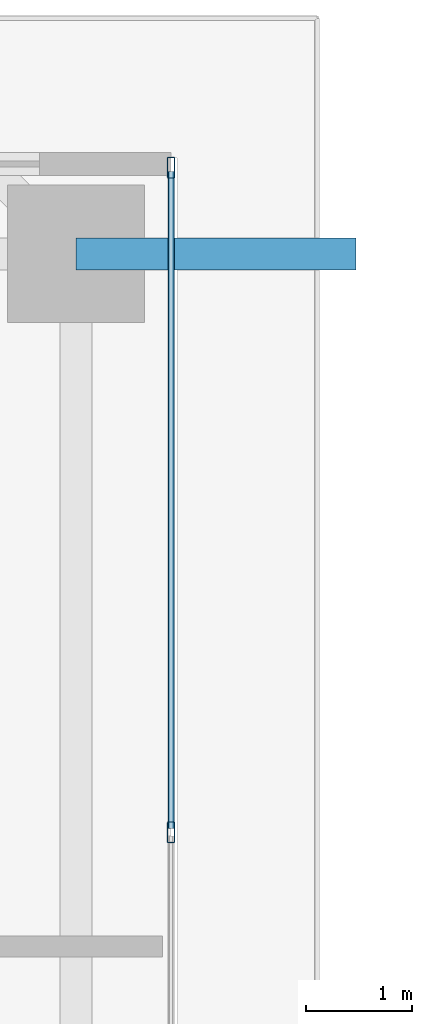
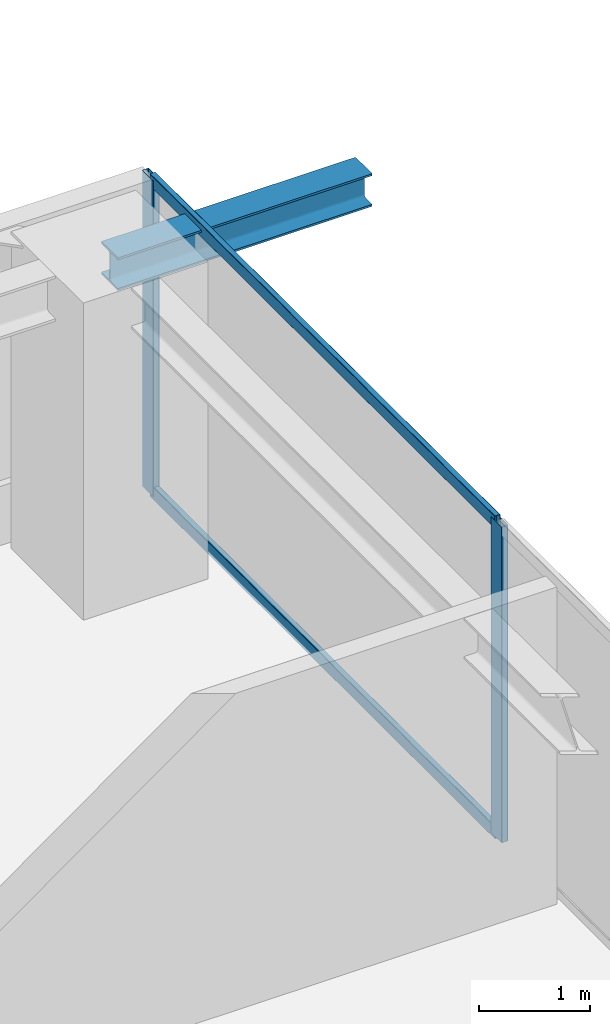
# One storey, part 20 of 35: 4 members, 1 beam, 1 element without a shape of its own.
"""IFC4 building model written with IfcOpenShell, lengths in metres."""

from ifc_helpers import new_model, si_unit, direction, frame, origin, origin_2d, place, context, subcontext, project, spatial, hollow_rectangle, i_section, extrude, source, transform, mapped, material, layer, layer_set, material_profile, profile_set, type_object, element, aggregate, save


model = new_model("IFC4")

# Units and contexts
model_context = context("Model", 3, precision=1e-05, world=origin(), true_north=direction((0.0, 1.0)))
body_context = subcontext(model_context, "Body", "Model", "MODEL_VIEW")
ifc_project = project(units=[si_unit("LENGTHUNIT", "METRE"), si_unit("AREAUNIT", "SQUARE_METRE"), si_unit("VOLUMEUNIT", "CUBIC_METRE"), si_unit("PLANEANGLEUNIT", "RADIAN"), si_unit("MASSUNIT", "GRAM", prefix="KILO")], contexts=[model_context])

# Site, building, storey
site_placement = place(None, origin())
site = spatial("IfcSite", under=ifc_project, at=site_placement, CompositionType="ELEMENT")
building_placement = place(site_placement, origin())
building = spatial("IfcBuilding", under=site, at=building_placement, Name="Serunith Strait Residences", CompositionType="ELEMENT")
storey_placement = place(building_placement, frame((0.0, 0.0, 157.64990234375)))
storey = spatial("IfcBuildingStorey", under=building, at=storey_placement, Name="L39", CompositionType="ELEMENT", Elevation=157.64990234375)

# Beam
ifc_material_1 = material(Name="Steel S355J2", Category="steel")
ifc_material_profile_1 = material_profile(ifc_material_1, i_section(OverallWidth=0.300048828125, OverallDepth=0.360107421875, WebThickness=0.012451171875, FlangeThickness=0.0224609375, FilletRadius=0.027099609375, at=origin_2d()), Name="HEB 360")
ifc_profile_set_1 = profile_set([ifc_material_profile_1], Name="Steel S355J2")
beam_type = type_object("IfcBeamType", Name="BM-HEB360", PredefinedType="BEAM", material=ifc_profile_set_1)
shared_shape_1 = source(origin(), body_context, "Body", "SweptSolid", [
    extrude(i_section(OverallWidth=0.300048828125, OverallDepth=0.360107421875, WebThickness=0.012451171875, FlangeThickness=0.0224609375, FilletRadius=0.027099609375, at=origin_2d()), origin(), (0.0, 0.0, 1.0), 2.647216796875),
])
beam_placement = place(storey_placement, frame((56.10009765625, 40.14990234375, 3.277099609375), z_axis=(1.0, 0.0, 0.0), x_axis=(0.0, 1.0, 0.0)))
element("IfcBeam", 1, at=beam_placement, inside=storey, type_object=beam_type, Name="L40 Cantilevered Balcony Rib TC-E4", PredefinedType="BEAM", context=body_context, shape_type="MappedRepresentation", body=[
    mapped(shared_shape_1, transform((0.0, 0.0, 0.0), scale=1.0)),
])

# Curtain wall, members
ifc_material_2 = material(Name="Pale-Champagne Anodised Aluminium", Category="aluminium")
ifc_layer = layer(ifc_material_2, 0.199951171875, Name="Pale-Champagne Anodised Aluminium")
ifc_layer_set = layer_set([ifc_layer], Name="Pale-Champagne Anodised Aluminium")
curtain_wall_type = type_object("IfcCurtainWallType", Name="CW-SYS2", PredefinedType="NOTDEFINED", material=ifc_layer_set)
curtain_wall_placement = place(storey_placement, origin())
curtain_wall = element("IfcCurtainWall", 2, at=curtain_wall_placement, inside=storey, type_object=curtain_wall_type, Name="L39 E Unitised Fritted Curtain Wall", PredefinedType="NOTDEFINED")
ifc_material_profile_2 = material_profile(ifc_material_2, hollow_rectangle(XDim=0.070068359375, YDim=0.199951171875, WallThickness=0.00390625, InnerFilletRadius=0.006103515625, OuterFilletRadius=0.010009765625, at=origin_2d()), Name="ALU 200x70x4")
ifc_profile_set_2 = profile_set([ifc_material_profile_2], Name="Pale-Champagne Anodised Aluminium")
member_type_1 = type_object("IfcMemberType", Name="CW-SYS2-MULL", PredefinedType="MULLION", material=ifc_profile_set_2)
shared_shape_2 = source(origin(), body_context, "Body", "SweptSolid", [
    extrude(hollow_rectangle(XDim=0.070068359375, YDim=0.199951171875, WallThickness=0.00390625, InnerFilletRadius=0.006103515625, OuterFilletRadius=0.010009765625, at=origin_2d()), origin(), (0.0, 0.0, 1.0), 3.47509765625),
])
member_1_placement = place(storey_placement, frame((57.0, 34.679931640625, 0.0), z_axis=(0.0, 0.0, 1.0), x_axis=(-1.0, 0.0, 0.0)))
member_1 = element("IfcMember", 3, at=member_1_placement, type_object=member_type_1, Name="CW-2 mullion 5", PredefinedType="MULLION", context=body_context, shape_type="MappedRepresentation", body=[
    mapped(shared_shape_2, transform((0.0, 0.0, 0.0), scale=1.0)),
])
member_2_placement = place(storey_placement, frame((57.0, 40.965087890625, 0.0), z_axis=(0.0, 0.0, 1.0), x_axis=(-1.0, 0.0, 0.0)))
member_2 = element("IfcMember", 4, at=member_2_placement, type_object=member_type_1, Name="CW-2 mullion 6", PredefinedType="MULLION", context=body_context, shape_type="MappedRepresentation", body=[
    mapped(shared_shape_2, transform((0.0, 0.0, 0.0), scale=1.0)),
])
ifc_material_profile_3 = material_profile(ifc_material_2, hollow_rectangle(XDim=0.06005859375, YDim=0.139892578125, WallThickness=0.00341796875, InnerFilletRadius=0.00537109375, OuterFilletRadius=0.0087890625, at=origin_2d()), Name="ALU 140x60x3.5")
ifc_profile_set_3 = profile_set([ifc_material_profile_3], Name="Pale-Champagne Anodised Aluminium")
member_type_2 = type_object("IfcMemberType", Name="CW-SYS2-TRAN", PredefinedType="USERDEFINED", material=ifc_profile_set_3)
shared_shape_3 = source(origin(), body_context, "Body", "SweptSolid", [
    extrude(hollow_rectangle(XDim=0.06005859375, YDim=0.139892578125, WallThickness=0.00341796875, InnerFilletRadius=0.00537109375, OuterFilletRadius=0.0087890625, at=origin_2d()), origin(), (0.0, 0.0, 1.0), 6.21484375),
])
member_3_placement = place(storey_placement, frame((57.0, 34.715087890625, 0.030029296875), z_axis=(0.0, 1.0, 0.0), x_axis=(-1.0, 0.0, 0.0)))
member_3 = element("IfcMember", 5, at=member_3_placement, type_object=member_type_2, Name="CW-2 transom 5.1", ObjectType="TRANSOM", PredefinedType="USERDEFINED", context=body_context, shape_type="MappedRepresentation", body=[
    mapped(shared_shape_3, transform((0.0, 0.0, 0.0), scale=1.0)),
])
member_4_placement = place(storey_placement, frame((57.0, 34.715087890625, 3.445068359375), z_axis=(0.0, 1.0, 0.0), x_axis=(-1.0, 0.0, 0.0)))
member_4 = element("IfcMember", 6, at=member_4_placement, type_object=member_type_2, Name="CW-2 transom 5.2", ObjectType="TRANSOM", PredefinedType="USERDEFINED", context=body_context, shape_type="MappedRepresentation", body=[
    mapped(shared_shape_3, transform((0.0, 0.0, 0.0), scale=1.0)),
])
aggregate(curtain_wall, [member_1, member_2, member_3, member_4])

save(model, "model.ifc")
